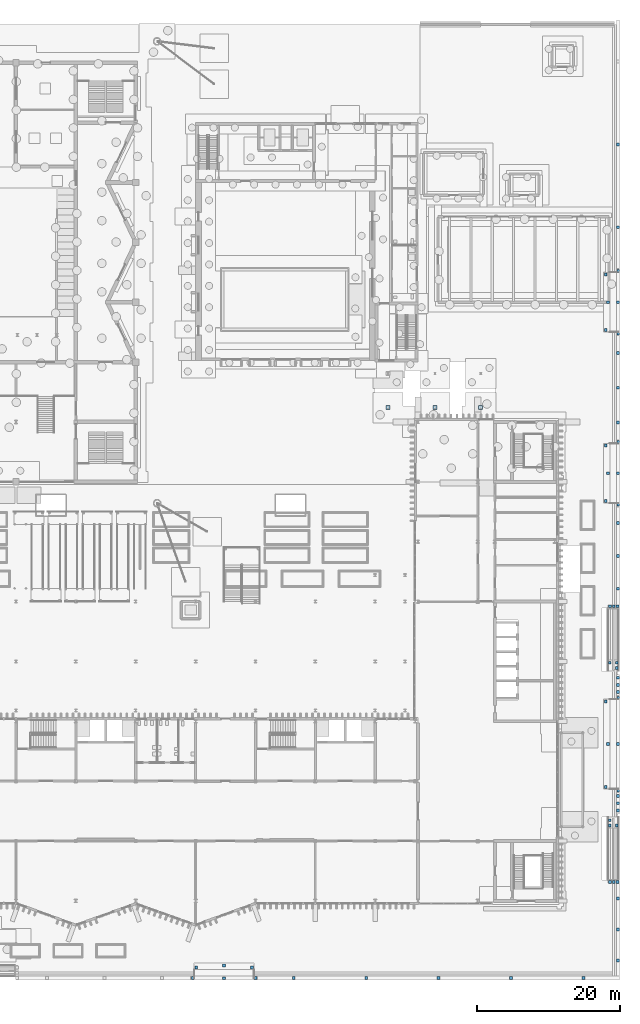
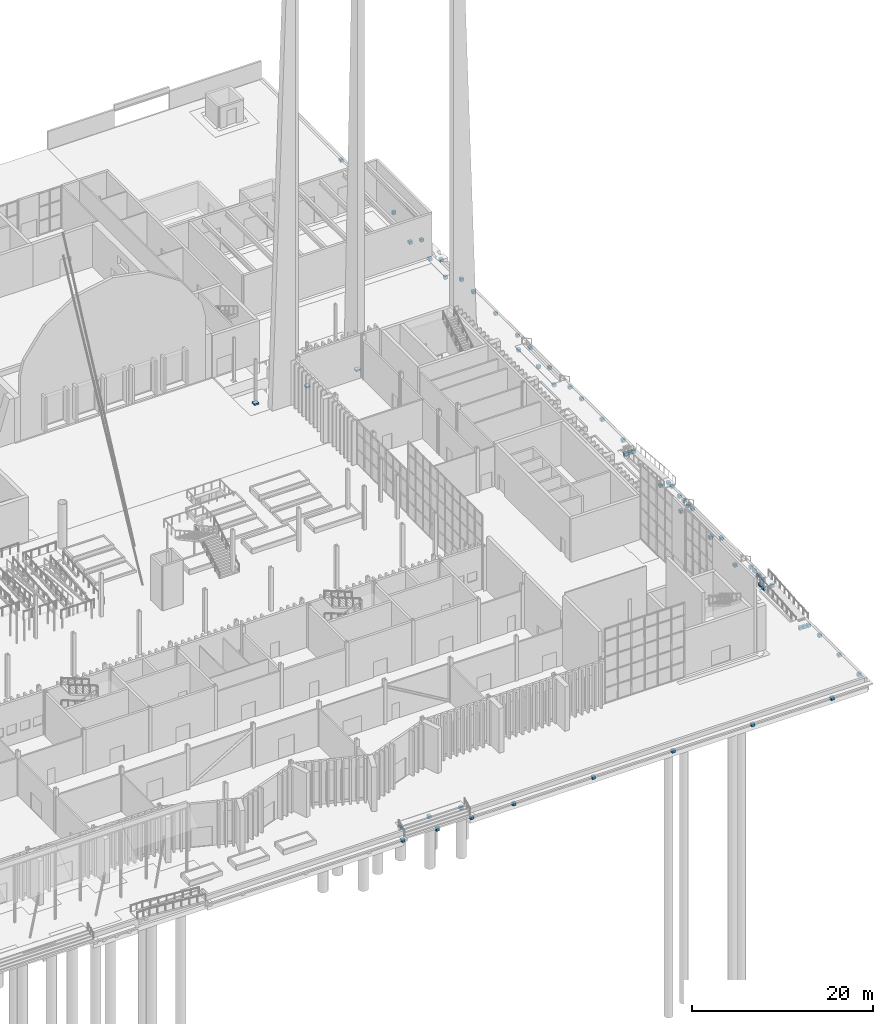
# One storey, part 7 of 108: 61 footings.
"""IFC4 building model written with IfcOpenShell, lengths in metres."""

from ifc_helpers import new_model, si_unit, direction, frame, origin, origin_2d, place, context, subcontext, project, spatial, rectangle, extrude, material, type_object, element, save


model = new_model("IFC4")

# Units and contexts
model_context = context("Model", 3, precision=1e-05, world=origin(), true_north=direction((0.0, 1.0)))
body_context = subcontext(model_context, "Body", "Model", "MODEL_VIEW")
ifc_project = project(units=[si_unit("LENGTHUNIT", "METRE"), si_unit("AREAUNIT", "SQUARE_METRE"), si_unit("VOLUMEUNIT", "CUBIC_METRE"), si_unit("PLANEANGLEUNIT", "RADIAN"), si_unit("MASSUNIT", "GRAM", prefix="KILO")], contexts=[model_context])

# Site, building, storey
site_placement = place(None, origin())
site = spatial("IfcSite", under=ifc_project, at=site_placement, CompositionType="ELEMENT")
building_placement = place(site_placement, origin())
building = spatial("IfcBuilding", under=site, at=building_placement, Name="Cresset Court Congress Hotel", CompositionType="ELEMENT")
storey_placement = place(building_placement, origin())
storey = spatial("IfcBuildingStorey", under=building, at=storey_placement, Name="L00", CompositionType="ELEMENT", Elevation=0.0)

# Footings
ifc_material_1 = material(Name="Concrete C35", Category="concrete")
footing_type_1 = type_object("IfcFootingType", Name="Column pedestal 550x550x200", PredefinedType="PAD_FOOTING", material=ifc_material_1)
for number, where, z_axis, x_axis, name in (
    (1, (153.0, 69.199951171875, -0.2001953125), (0.0, 0.0, 1.0), (1.0, 0.0, 0.0), "Column pedestal CP01"),
    (2, (159.60009765625, 69.199951171875, -0.2001953125), (0.0, 0.0, 1.0), (1.0, 0.0, 0.0), "Column pedestal CP03"),
    (3, (166.0, 69.199951171875, -0.2001953125), (0.0, 0.0, 1.0), (1.0, 0.0, 0.0), "Column pedestal CP04"),
):
    element("IfcFooting", number, at=place(storey_placement, frame(where, z_axis=z_axis, x_axis=x_axis)), inside=storey, type_object=footing_type_1, Name=name, PredefinedType="PAD_FOOTING", context=body_context, shape_type="SweptSolid", body=[
        extrude(rectangle(XDim=0.550048828125, YDim=0.550048828125, at=origin_2d()), origin(), (0.0, 0.0, 1.0), 0.199951171875),
    ])
ifc_material_2 = material(Name="Concrete C35", Category="concrete")
footing_type_2 = type_object("IfcFootingType", Name="Support pad 400x400", PredefinedType="PAD_FOOTING", material=ifc_material_2)
for number, where, z_axis, x_axis, name in (
    (4, (139.77978515625, -10.823974609375, -1.199951171875), (0.0, 0.0, 1.0), (1.0, 0.0, 0.0), "Kerb pad S06.1"),
    (5, (149.939453125, -10.823974609375, -1.199951171875), (0.0, 0.0, 1.0), (1.0, 0.0, 0.0), "Kerb pad S06.2"),
    (6, (160.09912109375, -10.823974609375, -1.199951171875), (0.0, 0.0, 1.0), (1.0, 0.0, 0.0), "Kerb pad S06.3"),
    (7, (170.258544921875, -10.823974609375, -1.199951171875), (0.0, 0.0, 1.0), (1.0, 0.0, 0.0), "Kerb pad S06.4"),
    (8, (180.418212890625, -10.823974609375, -1.199951171875), (0.0, 0.0, 1.0), (1.0, 0.0, 0.0), "Kerb pad S06.5"),
    (9, (125.60009765625, -10.798095703125, -1.199951171875), (0.0, 0.0, 1.0), (1.0, 0.0, 0.0), "Support pad 1"),
    (10, (134.39990234375, -10.798095703125, -1.199951171875), (0.0, 0.0, 1.0), (1.0, 0.0, 0.0), "Support pad 2"),
    (11, (130.0, -10.85009765625, -1.199951171875), (0.0, 0.0, 1.0), (1.0, 0.0, 0.0), "Support pad 3"),
    (12, (185.27392578125, -8.375, -1.199951171875), (0.0, 0.0, 1.0), (1.0, 0.0, 0.0), "Kerb pad E01.1"),
    (13, (185.27392578125, -4.02490234375, -1.199951171875), (0.0, 0.0, 1.0), (1.0, 0.0, 0.0), "Kerb pad E01.2"),
    (14, (185.27392578125, 0.324951171875, -1.199951171875), (0.0, 0.0, 1.0), (1.0, 0.0, 0.0), "Kerb pad E01.3"),
    (15, (185.27392578125, 12.699951171875, -1.199951171875), (0.0, 0.0, 1.0), (1.0, 0.0, 0.0), "Kerb pad E02.1"),
    (16, (185.27392578125, 13.699951171875, -1.199951171875), (0.0, 0.0, 1.0), (1.0, 0.0, 0.0), "Kerb pad E02.2"),
    (17, (185.27392578125, 14.699951171875, -1.199951171875), (0.0, 0.0, 1.0), (1.0, 0.0, 0.0), "Kerb pad E02.3"),
    (18, (185.27392578125, 29.300048828125, -1.199951171875), (0.0, 0.0, 1.0), (1.0, 0.0, 0.0), "Kerb pad E03.1"),
    (19, (185.27392578125, 30.300048828125, -1.199951171875), (0.0, 0.0, 1.0), (1.0, 0.0, 0.0), "Kerb pad E03.2"),
    (20, (185.27392578125, 31.300048828125, -1.199951171875), (0.0, 0.0, 1.0), (1.0, 0.0, 0.0), "Kerb pad E03.3"),
    (21, (185.27392578125, 43.800048828125, -1.199951171875), (0.0, 0.0, 1.0), (1.0, 0.0, 0.0), "Kerb pad E04.1"),
    (22, (185.27392578125, 48.39990234375, -1.199951171875), (0.0, 0.0, 1.0), (1.0, 0.0, 0.0), "Kerb pad E04.2"),
    (23, (185.27392578125, 53.0, -1.199951171875), (0.0, 0.0, 1.0), (1.0, 0.0, 0.0), "Kerb pad E04.3"),
    (24, (185.27392578125, 67.13330078125, -1.199951171875), (0.0, 0.0, 1.0), (1.0, 0.0, 0.0), "Kerb pad E05.1"),
    (25, (185.27392578125, 72.0, -1.199951171875), (0.0, 0.0, 1.0), (1.0, 0.0, 0.0), "Kerb pad E05.2"),
    (26, (185.27392578125, 76.86669921875, -1.199951171875), (0.0, 0.0, 1.0), (1.0, 0.0, 0.0), "Kerb pad E05.3"),
    (27, (185.27392578125, 94.516357421875, -1.199951171875), (0.0, 0.0, 1.0), (1.0, 0.0, 0.0), "Kerb pad E06.1"),
    (28, (185.27392578125, 106.14892578125, -1.199951171875), (0.0, 0.0, 1.0), (1.0, 0.0, 0.0), "Kerb pad E06.2"),
    (29, (185.298095703125, 15.5, -1.199951171875), (0.0, 0.0, 1.0), (1.0, 0.0, 0.0), "Support pad 1"),
    (30, (185.298095703125, 28.5, -1.199951171875), (0.0, 0.0, 1.0), (1.0, 0.0, 0.0), "Support pad 2"),
    (31, (185.25, 22.0, -1.199951171875), (0.0, 0.0, 1.0), (1.0, 0.0, 0.0), "Support pad 3"),
    (32, (185.298095703125, 55.60009765625, -1.199951171875), (0.0, 0.0, 1.0), (1.0, 0.0, 0.0), "Support pad 1"),
    (33, (185.298095703125, 64.39990234375, -1.199951171875), (0.0, 0.0, 1.0), (1.0, 0.0, 0.0), "Support pad 2"),
    (34, (185.25, 60.0, -1.199951171875), (0.0, 0.0, 1.0), (1.0, 0.0, 0.0), "Support pad 3"),
    (35, (185.298095703125, 79.60009765625, -1.199951171875), (0.0, 0.0, 1.0), (1.0, 0.0, 0.0), "Support pad 1"),
    (36, (185.298095703125, 88.39990234375, -1.199951171875), (0.0, 0.0, 1.0), (1.0, 0.0, 0.0), "Support pad 2"),
    (37, (185.25, 84.0, -1.199951171875), (0.0, 0.0, 1.0), (1.0, 0.0, 0.0), "Support pad 3"),
    (38, (126.10009765625, -9.35009765625, -0.599853515625), (0.0, 0.0, 1.0), (1.0, 0.0, 0.0), "Support pad 1"),
    (39, (133.89990234375, -9.35009765625, -0.599853515625), (0.0, 0.0, 1.0), (1.0, 0.0, 0.0), "Support pad 2"),
    (40, (130.0, -9.050048828125, -0.599853515625), (0.0, 0.0, 1.0), (1.0, 0.0, 0.0), "Support pad 3"),
    (41, (183.550048828125, 16.0, -0.599853515625), (0.0, 0.0, 1.0), (1.0, 0.0, 0.0), "Support pad 1"),
    (42, (183.550048828125, 28.0, -0.599853515625), (0.0, 0.0, 1.0), (1.0, 0.0, 0.0), "Support pad 2"),
    (43, (183.85009765625, 22.0, -0.599853515625), (0.0, 0.0, 1.0), (1.0, 0.0, 0.0), "Support pad 3"),
    (44, (183.550048828125, 56.10009765625, -0.599853515625), (0.0, 0.0, 1.0), (1.0, 0.0, 0.0), "Support pad 1"),
    (45, (183.550048828125, 63.89990234375, -0.599853515625), (0.0, 0.0, 1.0), (1.0, 0.0, 0.0), "Support pad 2"),
    (46, (183.85009765625, 60.0, -0.599853515625), (0.0, 0.0, 1.0), (1.0, 0.0, 0.0), "Support pad 3"),
    (47, (183.550048828125, 80.10009765625, -0.599853515625), (0.0, 0.0, 1.0), (1.0, 0.0, 0.0), "Support pad 1"),
    (48, (183.550048828125, 87.89990234375, -0.599853515625), (0.0, 0.0, 1.0), (1.0, 0.0, 0.0), "Support pad 2"),
    (49, (183.85009765625, 84.0, -0.599853515625), (0.0, 0.0, 1.0), (1.0, 0.0, 0.0), "Support pad 3"),
    (50, (184.10009765625, 10.574951171875, -0.599853515625), (0.0, 0.0, 1.0), (1.0, 0.0, 0.0), "Support pad E01.1"),
    (51, (185.10009765625, 10.574951171875, -0.599853515625), (0.0, 0.0, 1.0), (1.0, 0.0, 0.0), "Support pad E01.2"),
    (52, (184.10009765625, 11.324951171875, -0.599853515625), (0.0, 0.0, 1.0), (1.0, 0.0, 0.0), "Support pad E01.3"),
    (53, (185.10009765625, 33.425048828125, -0.599853515625), (0.0, 0.0, 1.0), (1.0, 0.0, 0.0), "Support pad E02.1"),
    (54, (184.10009765625, 33.425048828125, -0.599853515625), (0.0, 0.0, 1.0), (1.0, 0.0, 0.0), "Support pad E02.2"),
    (55, (185.10009765625, 32.675048828125, -0.599853515625), (0.0, 0.0, 1.0), (1.0, 0.0, 0.0), "Support pad E02.3"),
    (56, (184.14990234375, 2.64990234375, -1.199951171875), (0.0, 0.0, 1.0), (1.0, 0.0, 0.0), "Support pad 1"),
    (57, (185.197998046875, 2.64990234375, -1.199951171875), (0.0, 0.0, 1.0), (1.0, 0.0, 0.0), "Support pad 2"),
    (58, (184.674072265625, 2.64990234375, -1.199951171875), (0.0, 0.0, 1.0), (1.0, 0.0, 0.0), "Support pad 3"),
    (59, (184.14990234375, 41.35009765625, -1.199951171875), (0.0, 0.0, 1.0), (1.0, 0.0, 0.0), "Support pad 1"),
    (60, (185.197998046875, 41.35009765625, -1.199951171875), (0.0, 0.0, 1.0), (1.0, 0.0, 0.0), "Support pad 2"),
    (61, (184.674072265625, 41.35009765625, -1.199951171875), (0.0, 0.0, 1.0), (1.0, 0.0, 0.0), "Support pad 3"),
):
    element("IfcFooting", number, at=place(storey_placement, frame(where, z_axis=z_axis, x_axis=x_axis)), inside=storey, type_object=footing_type_2, Name=name, PredefinedType="PAD_FOOTING", context=body_context, shape_type="SweptSolid", body=[
        extrude(rectangle(XDim=0.39990234375, YDim=0.39990234375, at=origin_2d()), origin(), (0.0, 0.0, 1.0), 0.39990234375),
    ])

save(model, "model.ifc")
